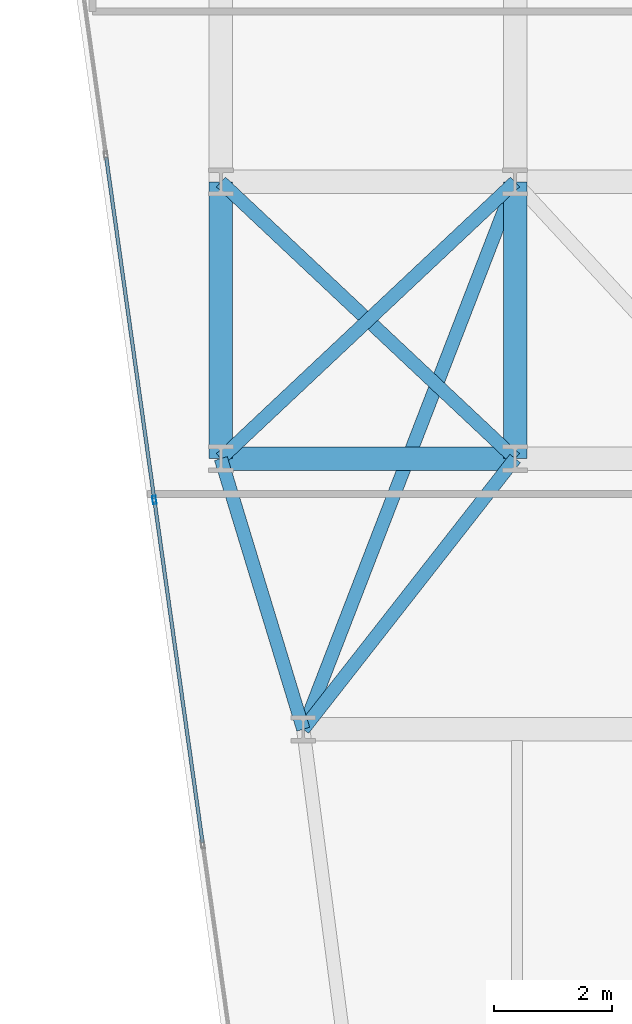
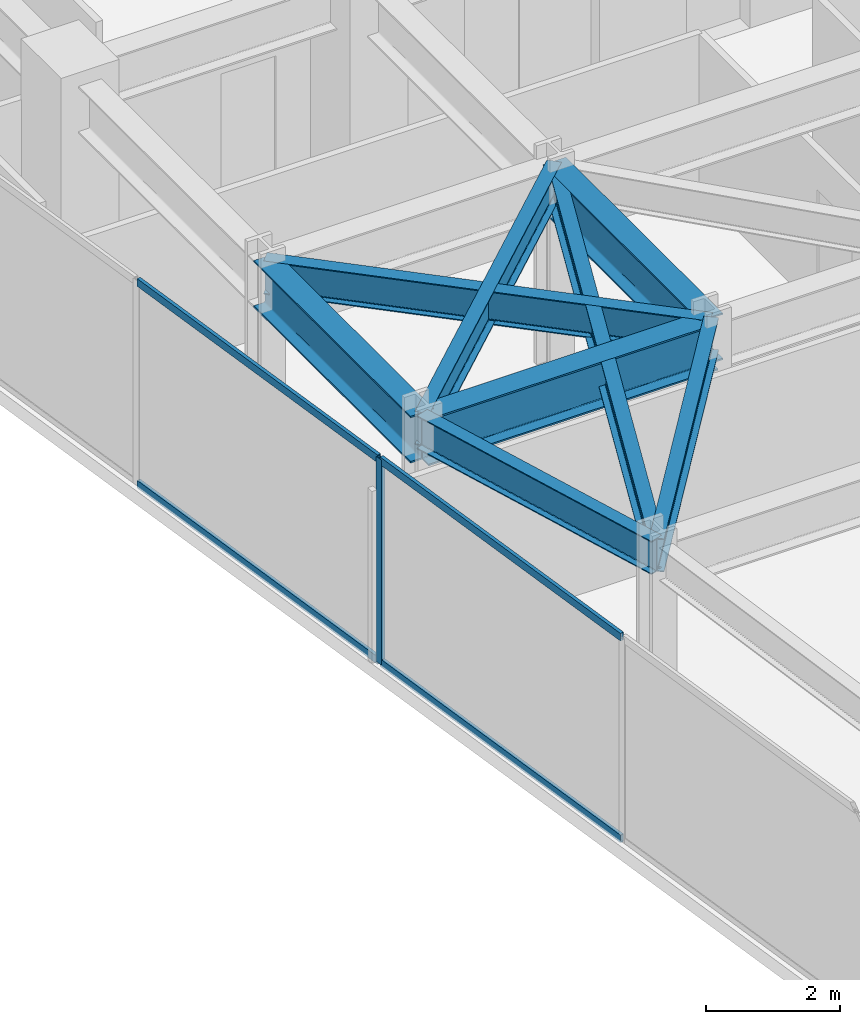
# One storey, part 9 of 26: 8 beams, 5 members, 1 element without a shape of its own.
"""IFC4 building model written with IfcOpenShell, lengths in metres."""

from ifc_helpers import new_model, si_unit, direction, frame, origin, origin_2d, place, context, subcontext, project, spatial, hollow_rectangle, i_section, extrude, material, layer, layer_set, material_profile, profile_set, type_object, element, aggregate, save


model = new_model("IFC4")

# Units and contexts
model_context = context("Model", 3, precision=1e-05, world=origin(), true_north=direction((0.0, 1.0)))
body_context = subcontext(model_context, "Body", "Model", "MODEL_VIEW")
ifc_project = project(units=[si_unit("LENGTHUNIT", "METRE"), si_unit("AREAUNIT", "SQUARE_METRE"), si_unit("VOLUMEUNIT", "CUBIC_METRE"), si_unit("PLANEANGLEUNIT", "RADIAN"), si_unit("MASSUNIT", "GRAM", prefix="KILO")], contexts=[model_context])

# Site, building, storey
site_placement = place(None, origin())
site = spatial("IfcSite", under=ifc_project, at=site_placement, CompositionType="ELEMENT")
building_placement = place(site_placement, origin())
building = spatial("IfcBuilding", under=site, at=building_placement, Name="Kravanh Interchange Tower", CompositionType="ELEMENT")
storey_placement = place(building_placement, frame((0.0, 0.0, 112.0)))
storey = spatial("IfcBuildingStorey", under=building, at=storey_placement, Name="L26", CompositionType="ELEMENT", Elevation=112.0)

# Curtain wall, members
ifc_material_1 = material(Name="Anodised Bronze Aluminium", Category="aluminium")
ifc_layer = layer(ifc_material_1, 0.179931640625)
ifc_layer_set = layer_set([ifc_layer], Name="Unitised Curtain Wall System CW-Z2 Mid Office")
curtain_wall_type = type_object("IfcCurtainWallType", Name="Unitised Curtain Wall System CW-Z2 Mid Office", PredefinedType="NOTDEFINED", material=ifc_layer_set)
curtain_wall_placement = place(storey_placement, origin())
curtain_wall = element("IfcCurtainWall", 1, at=curtain_wall_placement, inside=storey, type_object=curtain_wall_type, Name="L26 Unitised Curtain Wall CW-L26-01", PredefinedType="NOTDEFINED")
ifc_material_2 = material(Name="Anodised Bronze Aluminium", Category="aluminium")
ifc_material_profile_1 = material_profile(ifc_material_2, hollow_rectangle(XDim=0.06005859375, YDim=0.139892578125, WallThickness=0.00390625, at=origin_2d()), Name="ALU60X140X4")
ifc_profile_set_1 = profile_set([ifc_material_profile_1], Name="Anodised Bronze Aluminium")
member_type_1 = type_object("IfcMemberType", Name="Curtain Wall Mullion ALU60X140X4 Bronze", PredefinedType="MULLION", material=ifc_profile_set_1)
member_1_placement = place(storey_placement, frame((12.469970703125, 26.095458984375, 0.0), z_axis=(0.0, 0.0, 1.0), x_axis=(-0.990268103846, -0.13917285118, 0.0)))
member_1 = element("IfcMember", 2, at=member_1_placement, type_object=member_type_1, Name="CW-Z2 mullion 4", PredefinedType="MULLION", context=body_context, shape_type="SweptSolid", body=[
    extrude(hollow_rectangle(XDim=0.06005859375, YDim=0.139892578125, WallThickness=0.00390625, at=origin_2d()), origin(), (0.0, 0.0, 1.0), 3.75),
])
ifc_material_3 = material(Name="Anodised Bronze Aluminium", Category="aluminium")
ifc_material_profile_2 = material_profile(ifc_material_3, hollow_rectangle(XDim=0.06005859375, YDim=0.139892578125, WallThickness=0.00390625, at=origin_2d()), Name="ALU60X140X4")
ifc_profile_set_2 = profile_set([ifc_material_profile_2], Name="Anodised Bronze Aluminium")
member_type_2 = type_object("IfcMemberType", Name="Curtain Wall Transom ALU60X140X4 Bronze", PredefinedType="USERDEFINED", material=ifc_profile_set_2)
member_2_placement = place(storey_placement, frame((13.288330078125, 20.27294921875, 0.030029296875), z_axis=(-0.13918896503, 0.990265839062, 0.0), x_axis=(-0.990265839062, -0.13918896503, 0.0)))
member_2 = element("IfcMember", 3, at=member_2_placement, type_object=member_type_2, Name="CW-Z2 transom 3.1", ObjectType="TRANSOM", PredefinedType="USERDEFINED", context=body_context, shape_type="SweptSolid", body=[
    extrude(hollow_rectangle(XDim=0.06005859375, YDim=0.139892578125, WallThickness=0.00390625, at=origin_2d()), origin(), (0.0, 0.0, 1.0), 5.849609375),
])
member_3_placement = place(storey_placement, frame((13.288330078125, 20.27294921875, 3.719970703125), z_axis=(-0.13918896503, 0.990265839062, 0.0), x_axis=(-0.990265839062, -0.13918896503, 0.0)))
member_3 = element("IfcMember", 4, at=member_3_placement, type_object=member_type_2, Name="CW-Z2 transom 3.2", ObjectType="TRANSOM", PredefinedType="USERDEFINED", context=body_context, shape_type="SweptSolid", body=[
    extrude(hollow_rectangle(XDim=0.06005859375, YDim=0.139892578125, WallThickness=0.00390625, at=origin_2d()), origin(), (0.0, 0.0, 1.0), 5.849609375),
])
member_4_placement = place(storey_placement, frame((12.4658203125, 26.125244140625, 0.030029296875), z_axis=(-0.13918896503, 0.990265839062, 0.0), x_axis=(-0.990265839062, -0.13918896503, 0.0)))
member_4 = element("IfcMember", 5, at=member_4_placement, type_object=member_type_2, Name="CW-Z2 transom 4.1", ObjectType="TRANSOM", PredefinedType="USERDEFINED", context=body_context, shape_type="SweptSolid", body=[
    extrude(hollow_rectangle(XDim=0.06005859375, YDim=0.139892578125, WallThickness=0.00390625, at=origin_2d()), origin(), (0.0, 0.0, 1.0), 5.849609375),
])
member_5_placement = place(storey_placement, frame((12.4658203125, 26.125244140625, 3.719970703125), z_axis=(-0.13918896503, 0.990265839062, 0.0), x_axis=(-0.990265839062, -0.13918896503, 0.0)))
member_5 = element("IfcMember", 6, at=member_5_placement, type_object=member_type_2, Name="CW-Z2 transom 4.2", ObjectType="TRANSOM", PredefinedType="USERDEFINED", context=body_context, shape_type="SweptSolid", body=[
    extrude(hollow_rectangle(XDim=0.06005859375, YDim=0.139892578125, WallThickness=0.00390625, at=origin_2d()), origin(), (0.0, 0.0, 1.0), 5.849609375),
])
aggregate(curtain_wall, [member_1, member_2, member_3, member_4, member_5])

# Beams
ifc_material_4 = material(Name="Structural Steel S355", Category="steel")
ifc_material_profile_3 = material_profile(ifc_material_4, i_section(OverallWidth=0.39990234375, OverallDepth=0.85595703125, WebThickness=0.018310546875, FlangeThickness=0.029296875, FilletRadius=0.02490234375, at=origin_2d()), Name="W33X201")
ifc_profile_set_3 = profile_set([ifc_material_profile_3], Name="Structural Steel S355")
beam_type_1 = type_object("IfcBeamType", Name="Floor Beam W33X201 Structural Steel S355", PredefinedType="BEAM", material=ifc_profile_set_3)
beam_1_placement = place(storey_placement, frame((13.60009765625, 26.800048828125, 3.322021484375), z_axis=(0.0, 1.0, 0.0), x_axis=(-1.0, 0.0, 0.0)))
element("IfcBeam", 7, at=beam_1_placement, inside=storey, type_object=beam_type_1, Name="L26 Primary Floor Girder 37", PredefinedType="BEAM", context=body_context, shape_type="SweptSolid", body=[
    extrude(i_section(OverallWidth=0.39990234375, OverallDepth=0.85595703125, WebThickness=0.018310546875, FlangeThickness=0.029296875, FilletRadius=0.02490234375, at=origin_2d()), origin(), (0.0, 0.0, 1.0), 4.699951171875),
])
beam_2_placement = place(storey_placement, frame((13.60009765625, 26.800048828125, 3.322021484375), z_axis=(1.0, 0.0, 0.0), x_axis=(0.0, 1.0, 0.0)))
element("IfcBeam", 8, at=beam_2_placement, inside=storey, type_object=beam_type_1, Name="L26 Primary Floor Girder 39", PredefinedType="BEAM", context=body_context, shape_type="SweptSolid", body=[
    extrude(i_section(OverallWidth=0.39990234375, OverallDepth=0.85595703125, WebThickness=0.018310546875, FlangeThickness=0.029296875, FilletRadius=0.02490234375, at=origin_2d()), origin(), (0.0, 0.0, 1.0), 5.0),
])
beam_3_placement = place(storey_placement, frame((18.60009765625, 26.800048828125, 3.322021484375), z_axis=(0.0, 1.0, 0.0), x_axis=(-1.0, 0.0, 0.0)))
element("IfcBeam", 9, at=beam_3_placement, inside=storey, type_object=beam_type_1, Name="L26 Primary Floor Girder 41", PredefinedType="BEAM", context=body_context, shape_type="SweptSolid", body=[
    extrude(i_section(OverallWidth=0.39990234375, OverallDepth=0.85595703125, WebThickness=0.018310546875, FlangeThickness=0.029296875, FilletRadius=0.02490234375, at=origin_2d()), origin(), (0.0, 0.0, 1.0), 4.699951171875),
])
ifc_material_5 = material(Name="Structural Steel S355", Category="steel")
ifc_material_profile_4 = material_profile(ifc_material_5, i_section(OverallWidth=0.22802734375, OverallDepth=0.60791015625, WebThickness=0.01123046875, FlangeThickness=0.017333984375, FilletRadius=0.02197265625, at=origin_2d()), Name="W24X76")
ifc_profile_set_4 = profile_set([ifc_material_profile_4], Name="Structural Steel S355")
beam_type_2 = type_object("IfcBeamType", Name="Floor Spandrel W24X76 Structural Steel S355", PredefinedType="SPANDREL", material=ifc_profile_set_4)
beam_4_placement = place(storey_placement, frame((13.60009765625, 26.800048828125, 3.446044921875), z_axis=(0.291137370727, -0.956681259023, 0.0), x_axis=(0.956681259023, 0.291137370727, 0.0)))
element("IfcBeam", 10, at=beam_4_placement, inside=storey, type_object=beam_type_2, Name="L26 Perimeter Spandrel 38", PredefinedType="SPANDREL", context=body_context, shape_type="SweptSolid", body=[
    extrude(i_section(OverallWidth=0.22802734375, OverallDepth=0.60791015625, WebThickness=0.01123046875, FlangeThickness=0.017333984375, FilletRadius=0.02197265625, at=origin_2d()), origin(), (0.0, 0.0, 1.0), 4.808349609375),
])
beam_5_placement = place(storey_placement, frame((13.60009765625, 26.800048828125, 3.446044921875), z_axis=(0.728631219862, 0.684906231131, 0.0), x_axis=(-0.684906231131, 0.728631219862, 0.0)))
element("IfcBeam", 11, at=beam_5_placement, inside=storey, type_object=beam_type_2, Name="L26 Perimeter Spandrel 40", PredefinedType="SPANDREL", context=body_context, shape_type="SweptSolid", body=[
    extrude(i_section(OverallWidth=0.22802734375, OverallDepth=0.60791015625, WebThickness=0.01123046875, FlangeThickness=0.017333984375, FilletRadius=0.02197265625, at=origin_2d()), origin(), (0.0, 0.0, 1.0), 6.862060546875),
])
beam_6_placement = place(storey_placement, frame((18.60009765625, 26.800048828125, 3.446044921875), z_axis=(-0.616310515553, -0.787503237085, 0.0), x_axis=(0.787503237085, -0.616310515553, 0.0)))
element("IfcBeam", 12, at=beam_6_placement, inside=storey, type_object=beam_type_2, Name="L26 Perimeter Spandrel 42", PredefinedType="SPANDREL", context=body_context, shape_type="SweptSolid", body=[
    extrude(i_section(OverallWidth=0.22802734375, OverallDepth=0.60791015625, WebThickness=0.01123046875, FlangeThickness=0.017333984375, FilletRadius=0.02197265625, at=origin_2d()), origin(), (0.0, 0.0, 1.0), 5.84130859375),
])
beam_7_placement = place(storey_placement, frame((18.60009765625, 26.800048828125, 3.446044921875), z_axis=(-0.728631219862, 0.684906231131, 0.0), x_axis=(-0.684906231131, -0.728631219862, 0.0)))
element("IfcBeam", 13, at=beam_7_placement, inside=storey, type_object=beam_type_2, Name="L26 Perimeter Spandrel 43", PredefinedType="SPANDREL", context=body_context, shape_type="SweptSolid", body=[
    extrude(i_section(OverallWidth=0.22802734375, OverallDepth=0.60791015625, WebThickness=0.01123046875, FlangeThickness=0.017333984375, FilletRadius=0.02197265625, at=origin_2d()), origin(), (0.0, 0.0, 1.0), 6.862060546875),
])
beam_8_placement = place(storey_placement, frame((18.60009765625, 31.5, 3.446044921875), z_axis=(-0.3610009706, -0.932565439648, 0.0), x_axis=(0.932565439648, -0.3610009706, 0.0)))
element("IfcBeam", 14, at=beam_8_placement, inside=storey, type_object=beam_type_2, Name="L26 Perimeter Spandrel 72", PredefinedType="SPANDREL", context=body_context, shape_type="SweptSolid", body=[
    extrude(i_section(OverallWidth=0.22802734375, OverallDepth=0.60791015625, WebThickness=0.01123046875, FlangeThickness=0.017333984375, FilletRadius=0.02197265625, at=origin_2d()), origin(), (0.0, 0.0, 1.0), 9.97265625),
])

save(model, "model.ifc")
